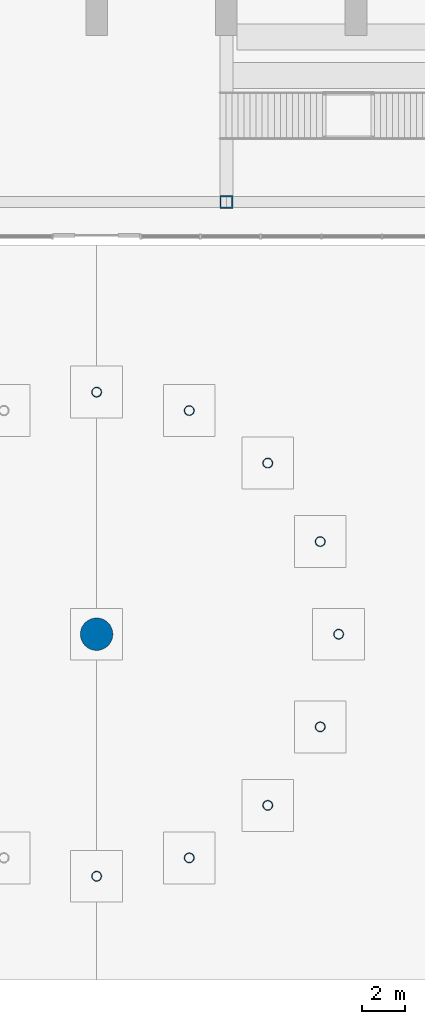
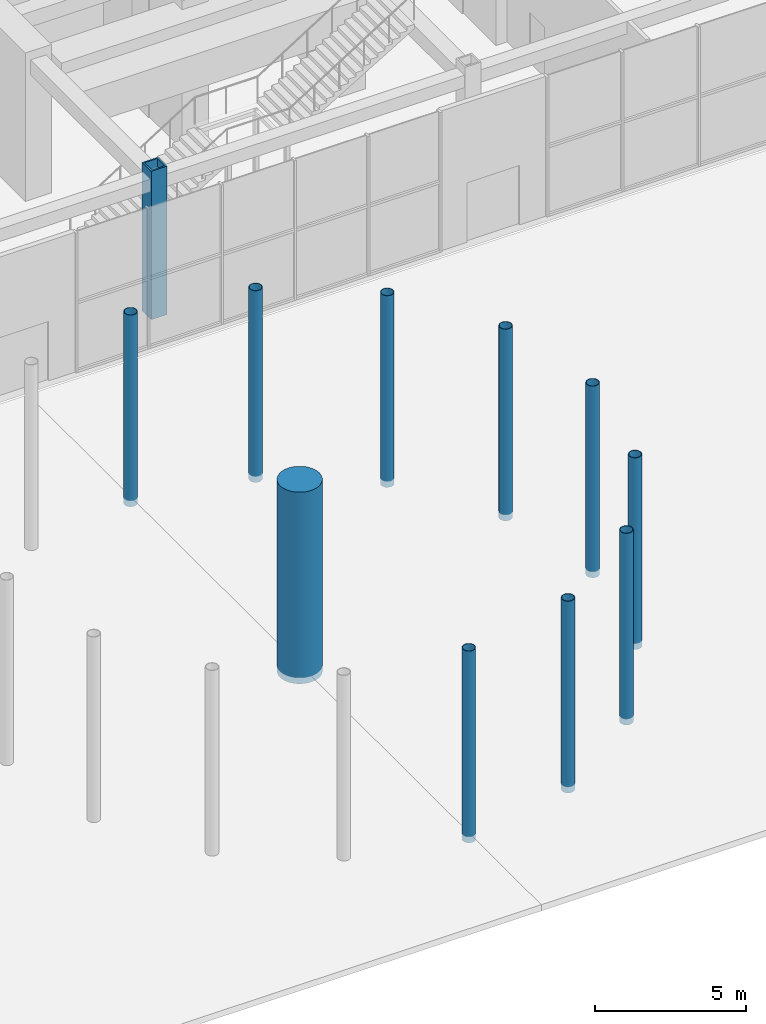
# One storey, part 4 of 57: 11 columns.
"""IFC4 building model written with IfcOpenShell, lengths in metres."""

from ifc_helpers import new_model, si_unit, direction, frame, origin, origin_2d, place, context, subcontext, project, spatial, hollow_rectangle, circle, hollow_circle, extrude, material, material_profile, profile_set, type_object, element, save


model = new_model("IFC4")

# Units and contexts
model_context = context("Model", 3, precision=1e-05, world=origin(), true_north=direction((0.0, 1.0)))
body_context = subcontext(model_context, "Body", "Model", "MODEL_VIEW")
ifc_project = project(units=[si_unit("LENGTHUNIT", "METRE"), si_unit("AREAUNIT", "SQUARE_METRE"), si_unit("VOLUMEUNIT", "CUBIC_METRE"), si_unit("PLANEANGLEUNIT", "RADIAN"), si_unit("MASSUNIT", "GRAM", prefix="KILO")], contexts=[model_context])

# Site, building, storey
site_placement = place(None, origin())
site = spatial("IfcSite", under=ifc_project, at=site_placement, CompositionType="ELEMENT")
building_placement = place(site_placement, origin())
building = spatial("IfcBuilding", under=site, at=building_placement, Name="Orbita Commons", CompositionType="ELEMENT")
storey_placement = place(building_placement, origin())
storey = spatial("IfcBuildingStorey", under=building, at=storey_placement, Name="L00", CompositionType="ELEMENT", Elevation=0.0)

# Columns
ifc_material_1 = material(Name="Steel ASTM A992", Category="steel")
ifc_material_profile_1 = material_profile(ifc_material_1, hollow_circle(Radius=0.228515625, WallThickness=0.02001953125, at=origin_2d()), Name="CHS 457x20")
ifc_profile_set_1 = profile_set([ifc_material_profile_1], Name="Steel ASTM A992")
column_type_1 = type_object("IfcColumnType", Name="Canopy column CHS 457x20", PredefinedType="COLUMN", material=ifc_profile_set_1)
for number, where, z_axis, x_axis, name in (
    (1, (53.199951171875, -20.0, -0.25), (0.0, 0.0, 1.0), (1.0, 0.0, 0.0), "Canopy column 1"),
    (2, (52.347412109375, -15.7138671875, -0.25), (0.0, 0.0, 1.0), (1.0, 0.0, 0.0), "Canopy column 2"),
    (3, (49.919677734375, -12.080322265625, -0.25), (0.0, 0.0, 1.0), (1.0, 0.0, 0.0), "Canopy column 3"),
    (4, (46.2861328125, -9.652587890625, -0.25), (0.0, 0.0, 1.0), (1.0, 0.0, 0.0), "Canopy column 4"),
    (5, (42.0, -8.800048828125, -0.25), (0.0, 0.0, 1.0), (1.0, 0.0, 0.0), "Canopy column 5"),
    (6, (42.0, -31.199951171875, -0.25), (0.0, 0.0, 1.0), (1.0, 0.0, 0.0), "Canopy column 13"),
    (7, (46.2861328125, -30.347412109375, -0.25), (0.0, 0.0, 1.0), (1.0, 0.0, 0.0), "Canopy column 14"),
    (8, (49.919677734375, -27.919677734375, -0.25), (0.0, 0.0, 1.0), (1.0, 0.0, 0.0), "Canopy column 15"),
    (9, (52.347412109375, -24.2861328125, -0.25), (0.0, 0.0, 1.0), (1.0, 0.0, 0.0), "Canopy column 16"),
):
    element("IfcColumn", number, at=place(storey_placement, frame(where, z_axis=z_axis, x_axis=x_axis)), inside=storey, type_object=column_type_1, Name=name, PredefinedType="COLUMN", context=body_context, shape_type="SweptSolid", body=[
        extrude(hollow_circle(Radius=0.228515625, WallThickness=0.02001953125, at=origin_2d()), origin(), (0.0, 0.0, 1.0), 7.74609375),
    ])
ifc_material_2 = material(Name="Concrete C50/60", Category="concrete")
ifc_material_profile_2 = material_profile(ifc_material_2, circle(Radius=0.75, at=origin_2d()), Name="RC D1500")
ifc_profile_set_2 = profile_set([ifc_material_profile_2], Name="Concrete C50/60")
column_type_2 = type_object("IfcColumnType", Name="Canopy stem RC D1500", PredefinedType="COLUMN", material=ifc_profile_set_2)
column_1_placement = place(storey_placement, frame((42.0, -20.0, -0.25), z_axis=(0.0, 0.0, 1.0), x_axis=(1.0, 0.0, 0.0)))
element("IfcColumn", 10, at=column_1_placement, inside=storey, type_object=column_type_2, Name="Canopy stem", PredefinedType="COLUMN", context=body_context, shape_type="SweptSolid", body=[
    extrude(circle(Radius=0.75, at=origin_2d()), origin(), (0.0, 0.0, 1.0), 7.74609375),
])
ifc_material_3 = material(Name="Steel ASTM A572 Gr 50 welded plate", Category="steel")
ifc_material_profile_3 = material_profile(ifc_material_3, hollow_rectangle(XDim=0.60009765625, YDim=0.60009765625, WallThickness=0.06005859375, at=origin_2d()), Name="BOX 600x600x60")
ifc_profile_set_3 = profile_set([ifc_material_profile_3], Name="Steel ASTM A572 Gr 50 welded plate")
column_type_3 = type_object("IfcColumnType", Name="Steel column BOX 600x600x60", PredefinedType="COLUMN", material=ifc_profile_set_3)
column_2_placement = place(storey_placement, frame((48.0, 0.0, 0.0), z_axis=(0.0, 0.0, 1.0), x_axis=(1.0, 0.0, 0.0)))
element("IfcColumn", 11, at=column_2_placement, inside=storey, type_object=column_type_3, Name="Column 9/A L00", PredefinedType="COLUMN", context=body_context, shape_type="SweptSolid", body=[
    extrude(hollow_rectangle(XDim=0.60009765625, YDim=0.60009765625, WallThickness=0.06005859375, at=origin_2d()), origin(), (0.0, 0.0, 1.0), 6.0),
])

save(model, "model.ifc")
